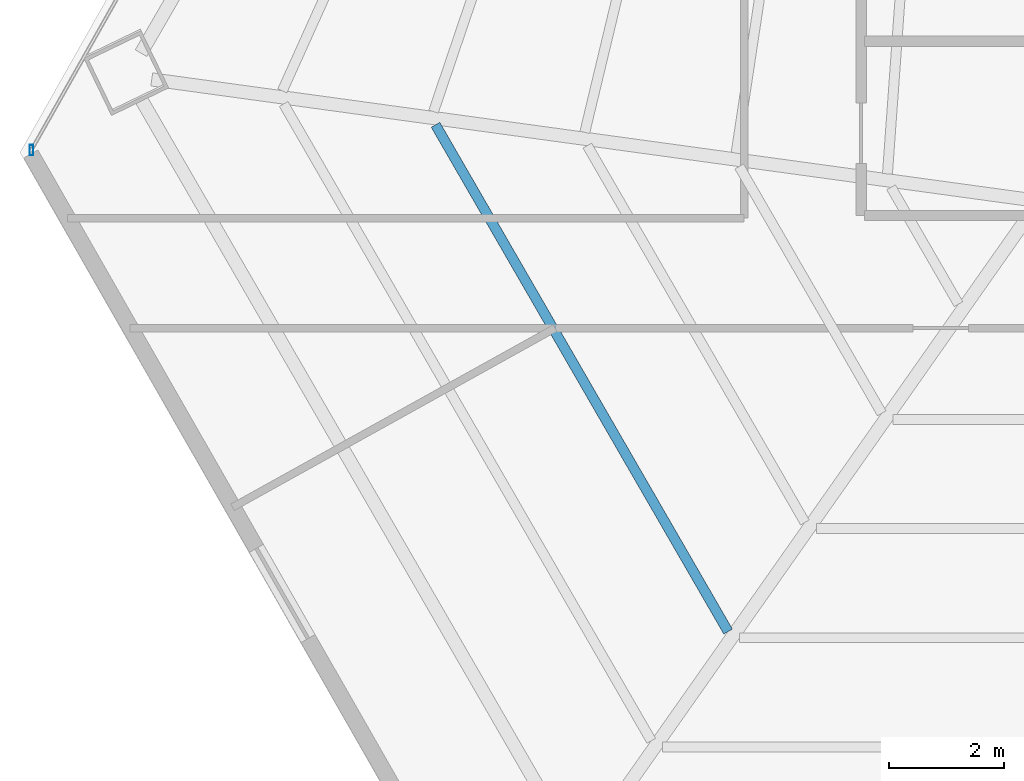
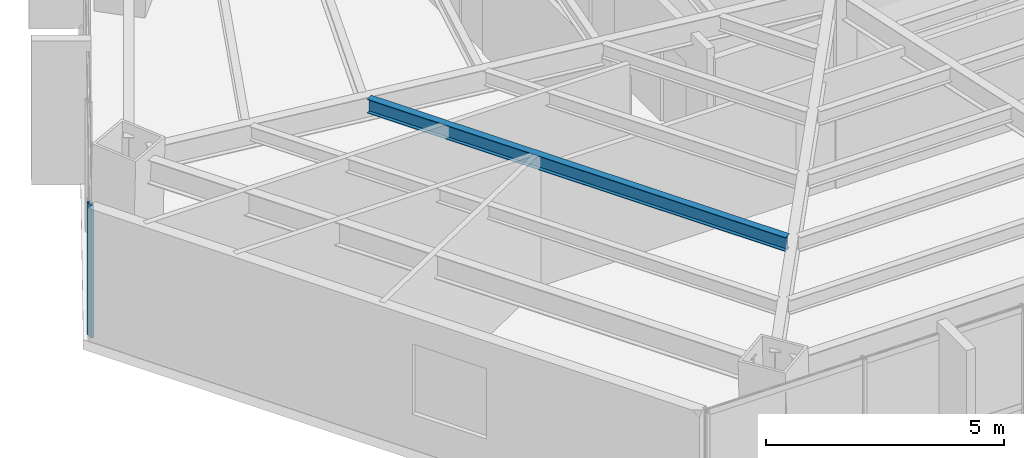
# One storey, part 6 of 35: 1 beam, 1 member, 1 element without a shape of its own.
"""IFC4 building model written with IfcOpenShell, lengths in metres."""

from ifc_helpers import new_model, si_unit, direction, frame, origin, origin_2d, place, context, subcontext, project, spatial, hollow_rectangle, i_section, extrude, source, transform, mapped, material, material_profile, profile_set, type_object, type_shapes, element, aggregate, save


model = new_model("IFC4")

# Units and contexts
model_context = context("Model", 3, precision=1e-05, world=origin(), true_north=direction((0.0, 1.0)))
body_context = subcontext(model_context, "Body", "Model", "MODEL_VIEW")
ifc_project = project(units=[si_unit("LENGTHUNIT", "METRE"), si_unit("AREAUNIT", "SQUARE_METRE"), si_unit("VOLUMEUNIT", "CUBIC_METRE"), si_unit("PLANEANGLEUNIT", "RADIAN"), si_unit("MASSUNIT", "GRAM", prefix="KILO")], contexts=[model_context])

# Site, building, storey
site_placement = place(None, origin())
site = spatial("IfcSite", under=ifc_project, at=site_placement, CompositionType="ELEMENT")
building_placement = place(site_placement, origin())
building = spatial("IfcBuilding", under=site, at=building_placement, Name="Caelisora Broadcast Tower", CompositionType="ELEMENT")
storey_placement = place(building_placement, frame((0.0, 0.0, 87.14990234375)))
storey = spatial("IfcBuildingStorey", under=building, at=storey_placement, Name="L22", CompositionType="ELEMENT", Elevation=87.14990234375)

# Beam
ifc_material_1 = material(Name="Steel Grade 350 (AS/NZS 3679.1)", Category="steel")
ifc_material_profile_1 = material_profile(ifc_material_1, i_section(OverallWidth=0.172119140625, OverallDepth=0.358642578125, WebThickness=0.008056640625, FlangeThickness=0.012939453125, at=origin_2d()), Name="Steel Grade 350 (AS/NZS 3679.1)")
ifc_profile_set_1 = profile_set([ifc_material_profile_1], Name="Steel Grade 350 (AS/NZS 3679.1)")
beam_type = type_object("IfcBeamType", Name="SB02", PredefinedType="JOIST", material=ifc_profile_set_1)
shared_shape_1 = source(origin(), body_context, "Body", "SweptSolid", [
    extrude(i_section(OverallWidth=0.172119140625, OverallDepth=0.358642578125, WebThickness=0.008056640625, FlangeThickness=0.012939453125, at=origin_2d()), origin(), (0.0, 0.0, 1.0), 10.13818359375),
])
type_shapes(beam_type, [shared_shape_1])
beam_placement = place(storey_placement, frame((20.047119140625, 18.720947265625, 3.220703125), z_axis=(0.499995525773, -0.866027986965, 0.0), x_axis=(0.866027986965, 0.499995525773, 0.0)))
element("IfcBeam", 1, at=beam_placement, inside=storey, type_object=beam_type, Name="L22 beam SB02", PredefinedType="JOIST", context=body_context, shape_type="MappedRepresentation", body=[
    mapped(shared_shape_1, transform((0.0, 0.0, 0.0), scale=1.0)),
])

# Curtain wall, member
ifc_material_2 = material(Name="Unitised Aluminium and Low-E Glass Curtain Wall", Category="glass")
curtain_wall_type = type_object("IfcCurtainWallType", Name="CW-Z2", PredefinedType="NOTDEFINED", material=ifc_material_2)
curtain_wall_placement = place(storey_placement, origin())
curtain_wall = element("IfcCurtainWall", 2, at=curtain_wall_placement, inside=storey, type_object=curtain_wall_type, Name="L22 curtain wall CW-Z2", PredefinedType="NOTDEFINED")
ifc_material_3 = material(Name="Aluminium 6063-T6 Anodised Terracotta Bronze", Category="aluminium")
ifc_material_profile_2 = material_profile(ifc_material_3, hollow_rectangle(XDim=0.06494140625, YDim=0.179931640625, WallThickness=0.00341796875, at=origin_2d()), Name="Aluminium 6063-T6 Anodised Terracotta Bronze")
ifc_profile_set_2 = profile_set([ifc_material_profile_2], Name="Aluminium 6063-T6 Anodised Terracotta Bronze")
member_type = type_object("IfcMemberType", Name="CWM-02", PredefinedType="MULLION", material=ifc_profile_set_2)
shared_shape_2 = source(origin(), body_context, "Body", "SweptSolid", [
    extrude(hollow_rectangle(XDim=0.06494140625, YDim=0.179931640625, WallThickness=0.00341796875, at=origin_2d()), origin(), (0.0, 0.0, 1.0), 3.400146484375),
])
type_shapes(member_type, [shared_shape_2])
member_placement = place(storey_placement, frame((13.045654296875, 18.284423828125, 0.0), z_axis=(0.0, 0.0, 1.0), x_axis=(1.0, 0.0, 0.0)))
member = element("IfcMember", 3, at=member_placement, type_object=member_type, Name="L22-CW-B09 mullion #0", PredefinedType="MULLION", context=body_context, shape_type="MappedRepresentation", body=[
    mapped(shared_shape_2, transform((0.0, 0.0, 0.0), scale=1.0)),
])
aggregate(curtain_wall, [member])

save(model, "model.ifc")
